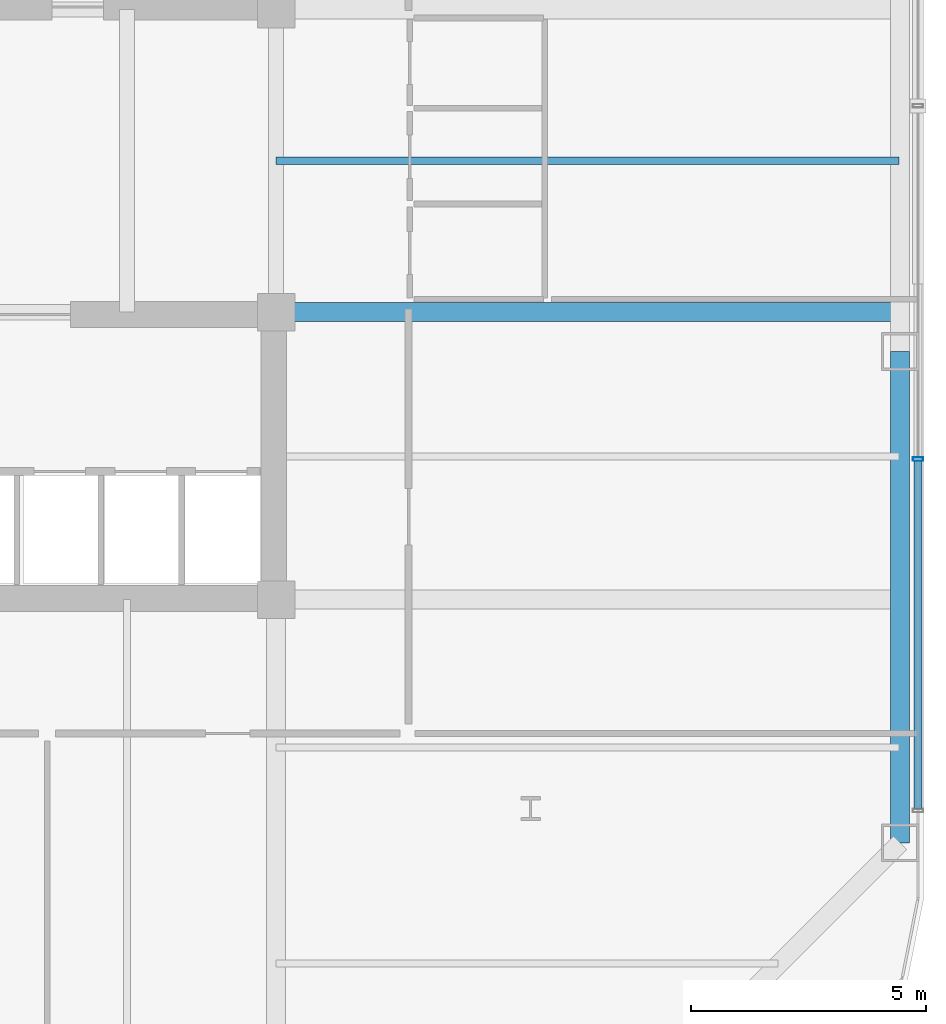
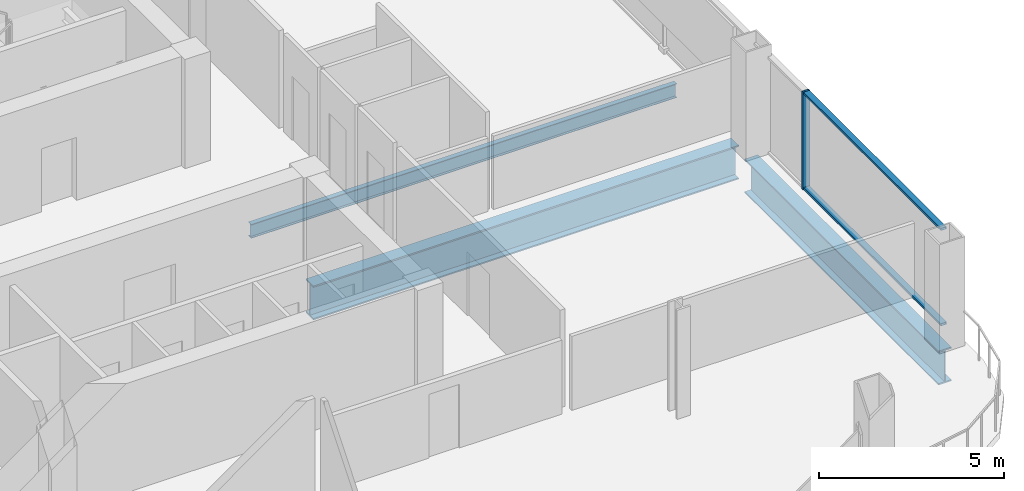
# One storey, part 10 of 24: 3 beams, 3 members, 1 element without a shape of its own.
"""IFC4 building model written with IfcOpenShell, lengths in metres."""

from ifc_helpers import new_model, si_unit, direction, frame, origin, origin_2d, place, context, subcontext, project, spatial, hollow_rectangle, i_section, extrude, material, layer, layer_set, material_profile, profile_set, type_object, element, aggregate, save


model = new_model("IFC4")

# Units and contexts
model_context = context("Model", 3, precision=1e-05, world=origin(), true_north=direction((0.0, 1.0)))
body_context = subcontext(model_context, "Body", "Model", "MODEL_VIEW")
ifc_project = project(units=[si_unit("LENGTHUNIT", "METRE"), si_unit("AREAUNIT", "SQUARE_METRE"), si_unit("VOLUMEUNIT", "CUBIC_METRE"), si_unit("PLANEANGLEUNIT", "RADIAN"), si_unit("MASSUNIT", "GRAM", prefix="KILO")], contexts=[model_context])

# Site, building, storey
site_placement = place(None, origin())
site = spatial("IfcSite", under=ifc_project, at=site_placement, CompositionType="ELEMENT")
building_placement = place(site_placement, origin())
building = spatial("IfcBuilding", under=site, at=building_placement, Name="Qhalaya Broadcast Tower", CompositionType="ELEMENT")
storey_placement = place(building_placement, frame((0.0, 0.0, 61.5)))
storey = spatial("IfcBuildingStorey", under=building, at=storey_placement, Name="L17", CompositionType="ELEMENT", Elevation=61.5)

# Beams
ifc_material_1 = material(Name="Structural Steel ASTM A992 Grade 50", Category="steel")
ifc_material_profile_1 = material_profile(ifc_material_1, i_section(OverallWidth=0.154052734375, OverallDepth=0.458984375, WebThickness=0.009033203125, FlangeThickness=0.015380859375, at=origin_2d()), Name="W18X46")
ifc_profile_set_1 = profile_set([ifc_material_profile_1], Name="Structural Steel ASTM A992 Grade 50")
beam_type_1 = type_object("IfcBeamType", Name="Composite Floor Joist J04", PredefinedType="JOIST", material=ifc_profile_set_1)
beam_1_placement = place(storey_placement, frame((9.375, 0.60009765625, -0.449462890625), z_axis=(1.0, 0.0, 0.0), x_axis=(0.0, 1.0, 0.0)))
element("IfcBeam", 1, at=beam_1_placement, inside=storey, type_object=beam_type_1, Name="L17 J04 L17-JWE4E-1", PredefinedType="JOIST", context=body_context, shape_type="SweptSolid", body=[
    extrude(i_section(OverallWidth=0.154052734375, OverallDepth=0.458984375, WebThickness=0.009033203125, FlangeThickness=0.015380859375, at=origin_2d()), origin(), (0.0, 0.0, 1.0), 13.27490234375),
])
ifc_material_profile_2 = material_profile(ifc_material_1, i_section(OverallWidth=0.404052734375, OverallDepth=1.117919921875, WebThickness=0.026123046875, FlangeThickness=0.044921875, at=origin_2d()), Name="W44X335")
ifc_profile_set_2 = profile_set([ifc_material_profile_2], Name="Structural Steel ASTM A992 Grade 50")
beam_type_2 = type_object("IfcBeamType", Name="Podium Long-Span Primary Girder PG1", PredefinedType="USERDEFINED", material=ifc_profile_set_2)
beam_2_placement = place(storey_placement, frame((22.669921875, -13.929931640625, -0.779052734375), z_axis=(0.0, 1.0, 0.0), x_axis=(-1.0, 0.0, 0.0)))
element("IfcBeam", 2, at=beam_2_placement, inside=storey, type_object=beam_type_2, Name="L17 PG1 L17-SPR-05", ObjectType="GIRDER", PredefinedType="USERDEFINED", context=body_context, shape_type="SweptSolid", body=[
    extrude(i_section(OverallWidth=0.404052734375, OverallDepth=1.117919921875, WebThickness=0.026123046875, FlangeThickness=0.044921875, at=origin_2d()), origin(), (0.0, 0.0, 1.0), 10.466552734375),
])
beam_3_placement = place(storey_placement, frame((9.375, -2.625, -0.779052734375), z_axis=(1.0, 0.0, 0.0), x_axis=(0.0, 1.0, 0.0)))
element("IfcBeam", 3, at=beam_3_placement, inside=storey, type_object=beam_type_2, Name="L17 PG1 L17-PGYE2-1", ObjectType="GIRDER", PredefinedType="USERDEFINED", context=body_context, shape_type="SweptSolid", body=[
    extrude(i_section(OverallWidth=0.404052734375, OverallDepth=1.117919921875, WebThickness=0.026123046875, FlangeThickness=0.044921875, at=origin_2d()), origin(), (0.0, 0.0, 1.0), 13.27490234375),
])

# Curtain wall, members
ifc_material_2 = material(Name="Solar-Control Low-E Triple Glazing", Category="glass")
ifc_layer = layer(ifc_material_2, 0.219970703125, Name="Solar-Control Low-E Triple Glazing")
ifc_layer_set = layer_set([ifc_layer], Name="Solar-Control Low-E Triple Glazing")
curtain_wall_type = type_object("IfcCurtainWallType", Name="Recessed Sky-Garden Neck Ribbon Curtain Wall CW-05", PredefinedType="NOTDEFINED", material=ifc_layer_set)
curtain_wall_placement = place(storey_placement, origin())
curtain_wall = element("IfcCurtainWall", 4, at=curtain_wall_placement, inside=storey, type_object=curtain_wall_type, Name="L17 Unitised Curtain Wall L17-CW-E", PredefinedType="NOTDEFINED")
ifc_material_3 = material(Name="Anodised Aluminium 6063-T6", Category="aluminium")
ifc_material_profile_3 = material_profile(ifc_material_3, hollow_rectangle(XDim=0.074951171875, YDim=0.219970703125, WallThickness=0.00390625, at=origin_2d()), Name="ALU-MUL 75x220x4")
ifc_profile_set_3 = profile_set([ifc_material_profile_3], Name="Anodised Aluminium 6063-T6")
member_type_1 = type_object("IfcMemberType", Name="Unitised Curtain-Wall Mullion M01", PredefinedType="MULLION", material=ifc_profile_set_3)
member_1_placement = place(storey_placement, frame((23.050048828125, -5.7548828125, 0.0), z_axis=(0.0, 0.0, 1.0), x_axis=(0.0, 1.0, 0.0)))
member_1 = element("IfcMember", 5, at=member_1_placement, type_object=member_type_1, Name="CW-05 mullion 2", PredefinedType="MULLION", context=body_context, shape_type="SweptSolid", body=[
    extrude(hollow_rectangle(XDim=0.074951171875, YDim=0.219970703125, WallThickness=0.00390625, at=origin_2d()), origin(), (0.0, 0.0, 1.0), 3.219970703125),
])
ifc_material_profile_4 = material_profile(ifc_material_3, hollow_rectangle(XDim=0.074951171875, YDim=0.179931640625, WallThickness=0.00390625, at=origin_2d()), Name="ALU-TRN 75x180x4")
ifc_profile_set_4 = profile_set([ifc_material_profile_4], Name="Anodised Aluminium 6063-T6")
member_type_2 = type_object("IfcMemberType", Name="Unitised Curtain-Wall Transom T01", PredefinedType="USERDEFINED", material=ifc_profile_set_4)
member_2_placement = place(storey_placement, frame((23.050048828125, -13.205078125, 0.03759765625), z_axis=(0.0, 1.0, 0.0), x_axis=(0.0, 0.0, 1.0)))
member_2 = element("IfcMember", 6, at=member_2_placement, type_object=member_type_2, Name="CW-05 transom 1.1", ObjectType="TRANSOM", PredefinedType="USERDEFINED", context=body_context, shape_type="SweptSolid", body=[
    extrude(hollow_rectangle(XDim=0.074951171875, YDim=0.179931640625, WallThickness=0.00390625, at=origin_2d()), origin(), (0.0, 0.0, 1.0), 7.41259765625),
])
member_3_placement = place(storey_placement, frame((23.050048828125, -13.205078125, 3.1826171875), z_axis=(0.0, 1.0, 0.0), x_axis=(0.0, 0.0, 1.0)))
member_3 = element("IfcMember", 7, at=member_3_placement, type_object=member_type_2, Name="CW-05 transom 1.2", ObjectType="TRANSOM", PredefinedType="USERDEFINED", context=body_context, shape_type="SweptSolid", body=[
    extrude(hollow_rectangle(XDim=0.074951171875, YDim=0.179931640625, WallThickness=0.00390625, at=origin_2d()), origin(), (0.0, 0.0, 1.0), 7.41259765625),
])
aggregate(curtain_wall, [member_1, member_2, member_3])

save(model, "model.ifc")
